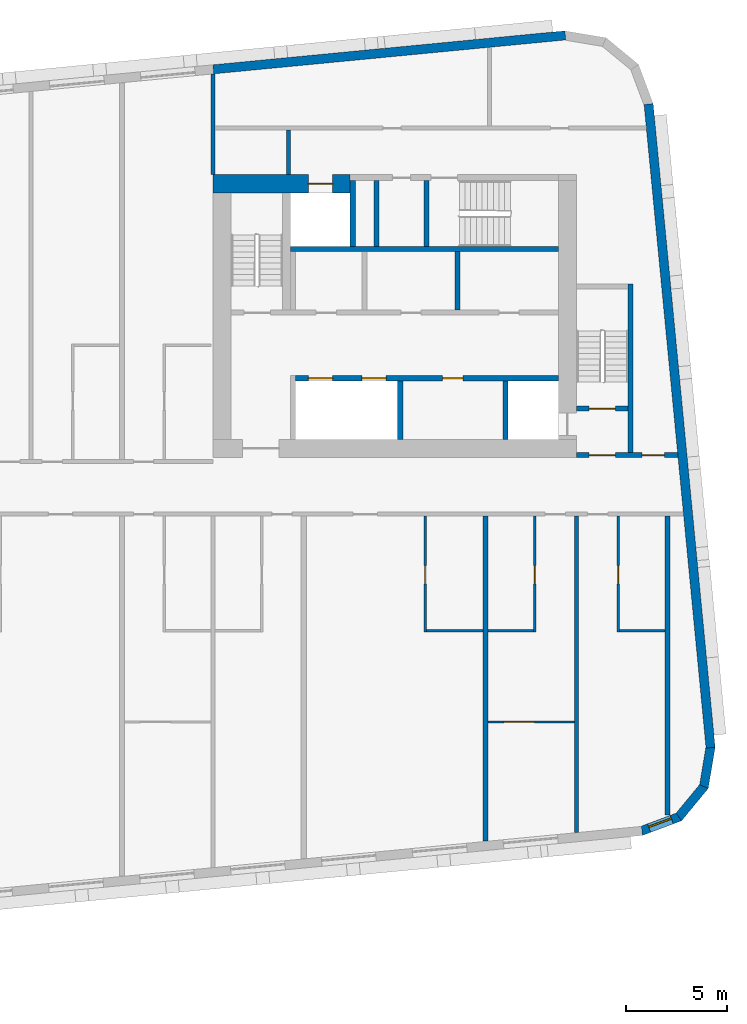
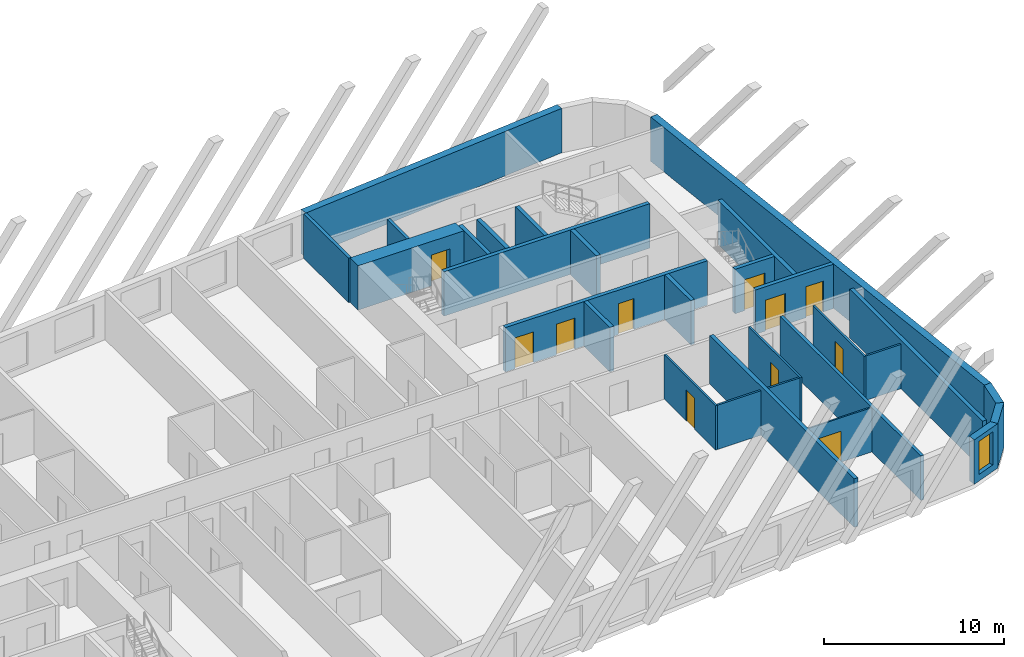
# One storey, part 7 of 13: 29 walls, 11 doors, 1 window, 12 openings.
"""IFC4 building model written with IfcOpenShell, lengths in metres."""

from ifc_helpers import new_model, si_unit, direction, frame, frame_2d, origin, place, context, subcontext, project, spatial, polyline, rectangle, outline, extrude, material, layer, layer_set, type_object, element, fill, save


model = new_model("IFC4")

# Units and contexts
model_context = context("Model", 3, precision=1e-05, world=origin(), true_north=direction((0.0, 1.0)))
body_context = subcontext(model_context, "Body", "Model", "MODEL_VIEW")
ifc_project = project(units=[si_unit("LENGTHUNIT", "METRE"), si_unit("AREAUNIT", "SQUARE_METRE"), si_unit("VOLUMEUNIT", "CUBIC_METRE"), si_unit("PLANEANGLEUNIT", "RADIAN"), si_unit("MASSUNIT", "GRAM", prefix="KILO")], contexts=[model_context])

# Site, building, storey
site_placement = place(None, origin())
site = spatial("IfcSite", under=ifc_project, at=site_placement, CompositionType="ELEMENT")
building_placement = place(site_placement, origin())
building = spatial("IfcBuilding", under=site, at=building_placement, Name="Kajstack Hotel Tower", CompositionType="ELEMENT")
storey_placement = place(building_placement, frame((0.0, 0.0, 298.199951171875)))
storey = spatial("IfcBuildingStorey", under=building, at=storey_placement, Name="L75", CompositionType="ELEMENT", Elevation=298.199951171875)

# Wall, opening, door
ifc_material_1 = material(Name="Concrete C60/75", Category="concrete")
ifc_layer_1 = layer(ifc_material_1, 0.89990234375)
ifc_layer_set_1 = layer_set([ifc_layer_1], Name="Core wall 900")
wall_type_1 = type_object("IfcWallType", Name="Core wall 900", PredefinedType="SHEAR", material=ifc_layer_set_1)
wall_1_placement = place(storey_placement, frame((13.5, 15.050048828125, 0.0), z_axis=(0.0, 0.0, 1.0), x_axis=(1.0, 0.0, 0.0)))
wall_1 = element("IfcWall", 1, at=wall_1_placement, inside=storey, type_object=wall_type_1, Name="Core wall E RS", PredefinedType="SHEAR", context=body_context, shape_type="SweptSolid", body=[
    extrude(rectangle(XDim=6.800048828125, YDim=0.89990234375, at=frame_2d((3.39990234375, 0.0))), origin(), (0.0, 0.0, 1.0), 3.02001953125),
])
opening_1_placement = place(wall_1_placement, frame((4.72509765625, 0.0, 0.0)))
opening_1 = element("IfcOpeningElement", 2, at=opening_1_placement, cuts=wall_1, Name="Opening LD-SV2", PredefinedType="OPENING", context=body_context, shape_type="SweptSolid", body=[
    extrude(rectangle(XDim=1.199951171875, YDim=2.10009765625, at=frame_2d((0.60009765625, 1.050048828125))), frame((0.0, 0.4599609375, 0.0), z_axis=(0.0, -1.0, 0.0), x_axis=(1.0, 0.0, 0.0)), (0.0, 0.0, 1.0), 0.919921875),
])
ifc_material_2 = material(Name="Stainless steel", Category="steel")
door_type_1 = type_object("IfcDoorType", Name="Lift landing door 1200", OperationType="SLIDING_TO_LEFT", PredefinedType="DOOR", material=ifc_material_2)
door_1_placement = place(opening_1_placement, origin())
door_1 = element("IfcDoor", 3, at=door_1_placement, inside=storey, type_object=door_type_1, Name="Landing door SV2", OperationType="SLIDING_TO_LEFT", OverallHeight=2.10009765625, OverallWidth=1.199951171875, PredefinedType="DOOR", context=body_context, shape_type="SweptSolid", body=[
    extrude(rectangle(XDim=1.199951171875, YDim=2.10009765625, at=frame_2d((0.60009765625, 1.050048828125))), frame((0.0, 0.02490234375, 0.0), z_axis=(0.0, -1.0, 0.0), x_axis=(1.0, 0.0, 0.0)), (0.0, 0.0, 1.0), 0.050048828125),
])
fill(opening_1, door_1)

# Walls
ifc_material_3 = material(Name="Twin-frame gypsum board on steel studs, mineral wool", Category="steel")
ifc_layer_2 = layer(ifc_material_3, 0.199951171875)
ifc_layer_set_2 = layer_set([ifc_layer_2], Name="Demising wall 200")
wall_type_2 = type_object("IfcWallType", Name="Demising wall 200", PredefinedType="PARTITIONING", material=ifc_layer_set_2)
wall_2_placement = place(storey_placement, frame((13.5, 15.5, 0.0), z_axis=(0.0, 0.0, 1.0), x_axis=(0.0, 1.0, 0.0)))
element("IfcWall", 4, at=wall_2_placement, inside=storey, type_object=wall_type_2, Name="G-wall-L75-001", PredefinedType="PARTITIONING", context=body_context, shape_type="SweptSolid", body=[
    extrude(rectangle(XDim=4.985107421875, YDim=0.199951171875, at=frame_2d((2.49267578125, 0.0))), origin(), (0.0, 0.0, 1.0), 3.02001953125),
])
wall_3_placement = place(storey_placement, frame((31.5, -17.06298828125, 0.0), z_axis=(0.0, 0.0, 1.0), x_axis=(0.0, 1.0, 0.0)))
element("IfcWall", 5, at=wall_3_placement, inside=storey, type_object=wall_type_2, Name="G-wall-L75-049", PredefinedType="PARTITIONING", context=body_context, shape_type="SweptSolid", body=[
    extrude(rectangle(XDim=15.6630859375, YDim=0.199951171875, at=frame_2d((7.83154296875, 0.0))), origin(), (0.0, 0.0, 1.0), 3.02001953125),
])
ifc_material_4 = material(Name="Concrete C40/50", Category="concrete")
ifc_layer_3 = layer(ifc_material_4, 0.449951171875)
ifc_layer_set_3 = layer_set([ifc_layer_3], Name="EW-CORE")
wall_type_3 = type_object("IfcWallType", Name="EW-CORE", PredefinedType="SOLIDWALL", material=ifc_layer_set_3)
wall_4_placement = place(storey_placement, frame((30.94580078125, 22.390625, 0.0), z_axis=(0.0, 0.0, 1.0), x_axis=(-0.995396397117, -0.095843688398, 0.0)))
element("IfcWall", 6, at=wall_4_placement, inside=storey, type_object=wall_type_3, Name="E-wall-L75-12-00", PredefinedType="SOLIDWALL", context=body_context, shape_type="SweptSolid", body=[
    extrude(rectangle(XDim=17.5048828125, YDim=0.449951171875, at=frame_2d((8.75244140625, 0.0))), origin(), (0.0, 0.0, 1.0), 3.02001953125),
])

# Wall, opening, window
ifc_material_5 = material(Name="Terracotta-faced brick masonry", Category="masonry")
ifc_layer_4 = layer(ifc_material_5, 0.449951171875)
ifc_layer_set_4 = layer_set([ifc_layer_4], Name="EW-TERRA")
wall_type_4 = type_object("IfcWallType", Name="EW-TERRA", PredefinedType="SOLIDWALL", material=ifc_layer_set_4)
wall_5_placement = place(storey_placement, frame((34.67919921875, -16.990478515625, 0.0), z_axis=(0.0, 0.0, 1.0), x_axis=(0.936677599948, 0.350192909346, 0.0)))
wall_5 = element("IfcWall", 7, at=wall_5_placement, inside=storey, type_object=wall_type_4, Name="E-wall-L75-05-00", PredefinedType="SOLIDWALL", context=body_context, shape_type="SweptSolid", body=[
    extrude(outline(polyline([(0.0, -0.22509765625), (2.070556640625, -0.22509765625), (1.949951171875, 0.22509765625), (0.12060546875, 0.22509765625), (0.0, -0.22509765625)])), origin(), (0.0, 0.0, 1.0), 3.02001953125),
])
opening_2_placement = place(wall_5_placement, frame((0.435302734375, 0.0, 0.449951171875)))
opening_2 = element("IfcOpeningElement", 8, at=opening_2_placement, cuts=wall_5, Name="Opening W3", PredefinedType="OPENING", context=body_context, shape_type="SweptSolid", body=[
    extrude(rectangle(XDim=1.199951171875, YDim=2.25, at=frame_2d((0.60009765625, 1.125))), frame((0.0, 0.23486328125, 0.0), z_axis=(0.0, -1.0, 0.0), x_axis=(1.0, 0.0, 0.0)), (0.0, 0.0, 1.0), 0.469970703125),
])
ifc_material_6 = material(Name="Timber-aluminium window, triple glazed", Category="wood")
window_type = type_object("IfcWindowType", Name="WG3", PartitioningType="SINGLE_PANEL", PredefinedType="WINDOW", material=ifc_material_6)
window_placement = place(opening_2_placement, origin())
window = element("IfcWindow", 9, at=window_placement, inside=storey, type_object=window_type, Name="Window W3 L75-05", OverallHeight=2.25, OverallWidth=1.199951171875, PartitioningType="SINGLE_PANEL", PredefinedType="WINDOW", context=body_context, shape_type="SweptSolid", body=[
    extrude(rectangle(XDim=1.199951171875, YDim=2.25, at=frame_2d((0.60009765625, 1.125))), frame((0.0, 0.090087890625, 0.0), z_axis=(0.0, -1.0, 0.0), x_axis=(1.0, 0.0, 0.0)), (0.0, 0.0, 1.0), 0.06005859375),
])
fill(opening_2, window)

# Walls
wall_6_placement = place(storey_placement, frame((36.52392578125, -16.3330078125, 0.0), z_axis=(0.0, 0.0, 1.0), x_axis=(0.636046112757, 0.771651049663, 0.0)))
element("IfcWall", 10, at=wall_6_placement, inside=storey, type_object=wall_type_4, Name="E-wall-L75-06-00", PredefinedType="SOLIDWALL", context=body_context, shape_type="SweptSolid", body=[
    extrude(outline(polyline([(0.0, -0.224853515625), (2.070556640625, -0.22509765625), (1.949951171875, 0.22509765625), (0.12060546875, 0.22509765625), (0.0, -0.224853515625)])), origin(), (0.0, 0.0, 1.0), 3.02001953125),
])
wall_7_placement = place(storey_placement, frame((37.79248046875, -14.84130859375, 0.0), z_axis=(0.0, 0.0, 1.0), x_axis=(0.165068144653, 0.986282164302, 0.0)))
element("IfcWall", 11, at=wall_7_placement, inside=storey, type_object=wall_type_4, Name="E-wall-L75-07-00", PredefinedType="SOLIDWALL", context=body_context, shape_type="SweptSolid", body=[
    extrude(outline(polyline([(0.0, -0.22509765625), (2.070556640625, -0.22509765625), (1.949951171875, 0.224853515625), (0.12060546875, 0.224853515625), (0.0, -0.22509765625)])), origin(), (0.0, 0.0, 1.0), 3.02001953125),
])
wall_8_placement = place(storey_placement, frame((38.13232421875, -12.85791015625, 0.0), z_axis=(0.0, 0.0, 1.0), x_axis=(-0.095847749461, 0.995396006082, 0.0)))
element("IfcWall", 12, at=wall_8_placement, inside=storey, type_object=wall_type_4, Name="E-wall-L75-08-00", PredefinedType="SOLIDWALL", context=body_context, shape_type="SweptSolid", body=[
    extrude(rectangle(XDim=32.0, YDim=0.449951171875, at=frame_2d((16.0, 0.0))), origin(), (0.0, 0.0, 1.0), 3.02001953125),
])

# Wall, opening, door
ifc_material_7 = material(Name="Gypsum board and tiled backer on steel studs", Category="steel")
ifc_layer_5 = layer(ifc_material_7, 0.125)
ifc_layer_set_5 = layer_set([ifc_layer_5], Name="En-suite wall 125")
wall_type_5 = type_object("IfcWallType", Name="En-suite wall 125", PredefinedType="PARTITIONING", material=ifc_layer_set_5)
wall_9_placement = place(storey_placement, frame((24.011962890625, -7.125, 0.0), z_axis=(0.0, 0.0, 1.0), x_axis=(0.0, 1.0, 0.0)))
wall_9 = element("IfcWall", 13, at=wall_9_placement, inside=storey, type_object=wall_type_5, Name="G-wall-L75-047", PredefinedType="PARTITIONING", context=body_context, shape_type="SweptSolid", body=[
    extrude(rectangle(XDim=5.72509765625, YDim=0.125, at=frame_2d((2.862548828125, 0.0))), origin(), (0.0, 0.0, 1.0), 3.02001953125),
])
opening_3_placement = place(wall_9_placement, frame((2.375, 0.0, 0.0)))
opening_3 = element("IfcOpeningElement", 14, at=opening_3_placement, cuts=wall_9, Name="Opening 75039", PredefinedType="OPENING", context=body_context, shape_type="SweptSolid", body=[
    extrude(rectangle(XDim=0.89990234375, YDim=2.10009765625, at=frame_2d((0.449951171875, 1.050048828125))), frame((0.0, 0.072509765625, 0.0), z_axis=(0.0, -1.0, 0.0), x_axis=(1.0, 0.0, 0.0)), (0.0, 0.0, 1.0), 0.14501953125),
])
ifc_material_8 = material(Name="Painted timber door leaf", Category="wood")
door_type_2 = type_object("IfcDoorType", Name="Room door 900", OperationType="SINGLE_SWING_LEFT", PredefinedType="DOOR", material=ifc_material_8)
door_2_placement = place(opening_3_placement, origin())
door_2 = element("IfcDoor", 15, at=door_2_placement, inside=storey, type_object=door_type_2, Name="G-door-L75-39", OperationType="SINGLE_SWING_LEFT", OverallHeight=2.10009765625, OverallWidth=0.89990234375, PredefinedType="DOOR", context=body_context, shape_type="SweptSolid", body=[
    extrude(rectangle(XDim=0.89990234375, YDim=2.10009765625, at=frame_2d((0.449951171875, 1.050048828125))), frame((0.0, 0.02490234375, 0.0), z_axis=(0.0, -1.0, 0.0), x_axis=(1.0, 0.0, 0.0)), (0.0, 0.0, 1.0), 0.050048828125),
])
fill(opening_3, door_2)

# Wall
wall_10_placement = place(storey_placement, frame((24.074951171875, -7.06201171875, 0.0), z_axis=(0.0, 0.0, 1.0), x_axis=(1.0, 0.0, 0.0)))
element("IfcWall", 16, at=wall_10_placement, inside=storey, type_object=wall_type_5, Name="G-wall-L75-048", PredefinedType="PARTITIONING", context=body_context, shape_type="SweptSolid", body=[
    extrude(rectangle(XDim=2.800048828125, YDim=0.125, at=frame_2d((1.39990234375, 0.0))), origin(), (0.0, 0.0, 1.0), 3.02001953125),
])

# Wall, opening, door
wall_11_placement = place(storey_placement, frame((29.43798828125, -7.125, 0.0), z_axis=(0.0, 0.0, 1.0), x_axis=(0.0, 1.0, 0.0)))
wall_11 = element("IfcWall", 17, at=wall_11_placement, inside=storey, type_object=wall_type_5, Name="G-wall-L75-050", PredefinedType="PARTITIONING", context=body_context, shape_type="SweptSolid", body=[
    extrude(rectangle(XDim=5.72509765625, YDim=0.125, at=frame_2d((2.862548828125, 0.0))), origin(), (0.0, 0.0, 1.0), 3.02001953125),
])
opening_4_placement = place(wall_11_placement, frame((2.375, 0.0, 0.0)))
opening_4 = element("IfcOpeningElement", 18, at=opening_4_placement, cuts=wall_11, Name="Opening 75041", PredefinedType="OPENING", context=body_context, shape_type="SweptSolid", body=[
    extrude(rectangle(XDim=0.89990234375, YDim=2.10009765625, at=frame_2d((0.449951171875, 1.050048828125))), frame((0.0, 0.072509765625, 0.0), z_axis=(0.0, -1.0, 0.0), x_axis=(1.0, 0.0, 0.0)), (0.0, 0.0, 1.0), 0.14501953125),
])
door_3_placement = place(opening_4_placement, origin())
door_3 = element("IfcDoor", 19, at=door_3_placement, inside=storey, type_object=door_type_2, Name="G-door-L75-41", OperationType="SINGLE_SWING_LEFT", OverallHeight=2.10009765625, OverallWidth=0.89990234375, PredefinedType="DOOR", context=body_context, shape_type="SweptSolid", body=[
    extrude(rectangle(XDim=0.89990234375, YDim=2.10009765625, at=frame_2d((0.449951171875, 1.050048828125))), frame((0.0, 0.02490234375, 0.0), z_axis=(0.0, -1.0, 0.0), x_axis=(1.0, 0.0, 0.0)), (0.0, 0.0, 1.0), 0.050048828125),
])
fill(opening_4, door_3)

# Wall
wall_12_placement = place(storey_placement, frame((27.125, -7.06201171875, 0.0), z_axis=(0.0, 0.0, 1.0), x_axis=(1.0, 0.0, 0.0)))
element("IfcWall", 20, at=wall_12_placement, inside=storey, type_object=wall_type_5, Name="G-wall-L75-051", PredefinedType="PARTITIONING", context=body_context, shape_type="SweptSolid", body=[
    extrude(rectangle(XDim=2.25, YDim=0.125, at=frame_2d((1.125, 0.0))), origin(), (0.0, 0.0, 1.0), 3.02001953125),
])

# Wall, opening, door
wall_13_placement = place(storey_placement, frame((33.56201171875, -7.125, 0.0), z_axis=(0.0, 0.0, 1.0), x_axis=(0.0, 1.0, 0.0)))
wall_13 = element("IfcWall", 21, at=wall_13_placement, inside=storey, type_object=wall_type_5, Name="G-wall-L75-053", PredefinedType="PARTITIONING", context=body_context, shape_type="SweptSolid", body=[
    extrude(rectangle(XDim=5.72509765625, YDim=0.125, at=frame_2d((2.862548828125, 0.0))), origin(), (0.0, 0.0, 1.0), 3.02001953125),
])
opening_5_placement = place(wall_13_placement, frame((2.375, 0.0, 0.0)))
opening_5 = element("IfcOpeningElement", 22, at=opening_5_placement, cuts=wall_13, Name="Opening 75044", PredefinedType="OPENING", context=body_context, shape_type="SweptSolid", body=[
    extrude(rectangle(XDim=0.89990234375, YDim=2.10009765625, at=frame_2d((0.449951171875, 1.050048828125))), frame((0.0, 0.072509765625, 0.0), z_axis=(0.0, -1.0, 0.0), x_axis=(1.0, 0.0, 0.0)), (0.0, 0.0, 1.0), 0.14501953125),
])
door_4_placement = place(opening_5_placement, origin())
door_4 = element("IfcDoor", 23, at=door_4_placement, inside=storey, type_object=door_type_2, Name="G-door-L75-44", OperationType="SINGLE_SWING_RIGHT", OverallHeight=2.10009765625, OverallWidth=0.89990234375, PredefinedType="DOOR", context=body_context, shape_type="SweptSolid", body=[
    extrude(rectangle(XDim=0.89990234375, YDim=2.10009765625, at=frame_2d((0.449951171875, 1.050048828125))), frame((0.0, 0.02490234375, 0.0), z_axis=(0.0, -1.0, 0.0), x_axis=(1.0, 0.0, 0.0)), (0.0, 0.0, 1.0), 0.050048828125),
])
fill(opening_5, door_4)

# Walls
wall_14_placement = place(storey_placement, frame((33.625, -7.06201171875, 0.0), z_axis=(0.0, 0.0, 1.0), x_axis=(1.0, 0.0, 0.0)))
element("IfcWall", 24, at=wall_14_placement, inside=storey, type_object=wall_type_5, Name="G-wall-L75-054", PredefinedType="PARTITIONING", context=body_context, shape_type="SweptSolid", body=[
    extrude(rectangle(XDim=2.25, YDim=0.125, at=frame_2d((1.125, 0.0))), origin(), (0.0, 0.0, 1.0), 3.02001953125),
])
ifc_material_9 = material(Name="Concrete C50/60", Category="concrete")
ifc_layer_6 = layer(ifc_material_9, 0.300048828125)
ifc_layer_set_6 = layer_set([ifc_layer_6], Name="Hoistway divider wall 300")
wall_type_6 = type_object("IfcWallType", Name="Hoistway divider wall 300", PredefinedType="SHEAR", material=ifc_layer_set_6)
wall_15_placement = place(storey_placement, frame((22.77490234375, 2.39990234375, 0.0), z_axis=(0.0, 0.0, 1.0), x_axis=(0.0, 1.0, 0.0)))
element("IfcWall", 25, at=wall_15_placement, inside=storey, type_object=wall_type_6, Name="Core wall E AP2", PredefinedType="SHEAR", context=body_context, shape_type="SweptSolid", body=[
    extrude(rectangle(XDim=2.900146484375, YDim=0.25, at=frame_2d((1.4501953125, 0.0))), origin(), (0.0, 0.0, 1.0), 3.02001953125),
])

# Wall, opening, door
ifc_material_10 = material(Name="Gypsum board on steel studs", Category="steel")
ifc_layer_7 = layer(ifc_material_10, 0.10009765625)
ifc_layer_set_7 = layer_set([ifc_layer_7], Name="Partition 100")
wall_type_7 = type_object("IfcWallType", Name="Partition 100", PredefinedType="PARTITIONING", material=ifc_layer_set_7)
wall_16_placement = place(storey_placement, frame((27.125, -11.574951171875, 0.0), z_axis=(0.0, 0.0, 1.0), x_axis=(1.0, 0.0, 0.0)))
wall_16 = element("IfcWall", 26, at=wall_16_placement, inside=storey, type_object=wall_type_7, Name="G-wall-L75-052", PredefinedType="PARTITIONING", context=body_context, shape_type="SweptSolid", body=[
    extrude(rectangle(XDim=4.27490234375, YDim=0.10009765625, at=frame_2d((2.137451171875, 0.0))), origin(), (0.0, 0.0, 1.0), 3.02001953125),
])
opening_6_placement = place(wall_16_placement, frame((0.787109375, 0.0, 0.0)))
opening_6 = element("IfcOpeningElement", 27, at=opening_6_placement, cuts=wall_16, Name="Opening 75042", PredefinedType="OPENING", context=body_context, shape_type="SweptSolid", body=[
    extrude(rectangle(XDim=1.5, YDim=2.10009765625, at=frame_2d((0.75, 1.050048828125))), frame((0.0, 0.06005859375, 0.0), z_axis=(0.0, -1.0, 0.0), x_axis=(1.0, 0.0, 0.0)), (0.0, 0.0, 1.0), 0.1201171875),
])
ifc_material_11 = material(Name="Painted timber door leaves, glazed panels", Category="wood")
door_type_3 = type_object("IfcDoorType", Name="Double door 1500", OperationType="SINGLE_SWING_LEFT", PredefinedType="DOOR", material=ifc_material_11)
door_5_placement = place(opening_6_placement, origin())
door_5 = element("IfcDoor", 28, at=door_5_placement, inside=storey, type_object=door_type_3, Name="G-door-L75-42", OperationType="SINGLE_SWING_RIGHT", OverallHeight=2.10009765625, OverallWidth=1.5, PredefinedType="DOOR", context=body_context, shape_type="SweptSolid", body=[
    extrude(rectangle(XDim=1.5, YDim=2.10009765625, at=frame_2d((0.75, 1.050048828125))), frame((0.0, 0.02490234375, 0.0), z_axis=(0.0, -1.0, 0.0), x_axis=(1.0, 0.0, 0.0)), (0.0, 0.0, 1.0), 0.050048828125),
])
fill(opening_6, door_5)

# Walls
ifc_layer_8 = layer(ifc_material_4, 0.25)
ifc_layer_set_8 = layer_set([ifc_layer_8], Name="RC cross wall 250 C40/50")
wall_type_8 = type_object("IfcWallType", Name="RC cross wall 250 C40/50", PredefinedType="SHEAR", material=ifc_layer_set_8)
wall_17_placement = place(storey_placement, frame((27.0, -17.47412109375, 0.0), z_axis=(0.0, 0.0, 1.0), x_axis=(0.0, 1.0, 0.0)))
element("IfcWall", 29, at=wall_17_placement, inside=storey, type_object=wall_type_8, Name="S-wall-L75-11", PredefinedType="SHEAR", context=body_context, shape_type="SweptSolid", body=[
    extrude(rectangle(XDim=16.07421875, YDim=0.25, at=frame_2d((8.037109375, 0.0))), origin(), (0.0, 0.0, 1.0), 3.300048828125),
])
wall_18_placement = place(storey_placement, frame((36.0, -16.198974609375, 0.0), z_axis=(0.0, 0.0, 1.0), x_axis=(0.0, 1.0, 0.0)))
element("IfcWall", 30, at=wall_18_placement, inside=storey, type_object=wall_type_8, Name="S-wall-L75-12", PredefinedType="SHEAR", context=body_context, shape_type="SweptSolid", body=[
    extrude(rectangle(XDim=14.799072265625, YDim=0.25, at=frame_2d((7.3994140625, 0.0))), origin(), (0.0, 0.0, 1.0), 3.300048828125),
])
ifc_material_12 = material(Name="Concrete block masonry", Category="masonry")
ifc_layer_9 = layer(ifc_material_12, 0.25)
ifc_layer_set_9 = layer_set([ifc_layer_9], Name="Riser partition 250")
wall_type_9 = type_object("IfcWallType", Name="Riser partition 250", PredefinedType="PARTITIONING", material=ifc_layer_set_9)
wall_19_placement = place(storey_placement, frame((25.60009765625, 8.800048828125, 0.0), z_axis=(0.0, 0.0, 1.0), x_axis=(0.0, 1.0, 0.0)))
element("IfcWall", 31, at=wall_19_placement, inside=storey, type_object=wall_type_9, Name="Partition E BF0", PredefinedType="PARTITIONING", context=body_context, shape_type="SweptSolid", body=[
    extrude(rectangle(XDim=2.89990234375, YDim=0.25, at=frame_2d((1.449951171875, 0.0))), origin(), (0.0, 0.0, 1.0), 3.02001953125),
])
wall_20_placement = place(storey_placement, frame((21.60009765625, 11.949951171875, 0.0), z_axis=(0.0, 0.0, 1.0), x_axis=(0.0, 1.0, 0.0)))
element("IfcWall", 32, at=wall_20_placement, inside=storey, type_object=wall_type_9, Name="Partition E SZ0", PredefinedType="PARTITIONING", context=body_context, shape_type="SweptSolid", body=[
    extrude(rectangle(XDim=3.25, YDim=0.25, at=frame_2d((1.625, 0.0))), origin(), (0.0, 0.0, 1.0), 3.02001953125),
])

# Wall, openings, doors
ifc_material_13 = material(Name="Gypsum board on steel studs, mineral wool", Category="steel")
ifc_layer_10 = layer(ifc_material_13, 0.199951171875)
ifc_layer_set_10 = layer_set([ifc_layer_10], Name="Service partition 200")
wall_type_10 = type_object("IfcWallType", Name="Service partition 200", PredefinedType="PARTITIONING", material=ifc_layer_set_10)
wall_21_placement = place(storey_placement, frame((31.5, 1.625, 0.0), z_axis=(0.0, 0.0, 1.0), x_axis=(1.0, 0.0, 0.0)))
wall_21 = element("IfcWall", 33, at=wall_21_placement, inside=storey, type_object=wall_type_10, Name="Partition E SN", PredefinedType="PARTITIONING", context=body_context, shape_type="SweptSolid", body=[
    extrude(rectangle(XDim=5.01171875, YDim=0.25, at=frame_2d((2.505859375, 0.0))), origin(), (0.0, 0.0, 1.0), 3.02001953125),
])
opening_7_placement = place(wall_21_placement, frame((0.625, 0.0, 0.0)))
opening_7 = element("IfcOpeningElement", 34, at=opening_7_placement, cuts=wall_21, Name="Opening 75E06", PredefinedType="OPENING", context=body_context, shape_type="SweptSolid", body=[
    extrude(rectangle(XDim=1.300048828125, YDim=2.10009765625, at=frame_2d((0.64990234375, 1.050048828125))), frame((0.0, 0.135009765625, 0.0), z_axis=(0.0, -1.0, 0.0), x_axis=(1.0, 0.0, 0.0)), (0.0, 0.0, 1.0), 0.27001953125),
])
opening_8_placement = place(wall_21_placement, frame((3.25, 0.0, 0.0)))
opening_8 = element("IfcOpeningElement", 35, at=opening_8_placement, cuts=wall_21, Name="Opening 75E08", PredefinedType="OPENING", context=body_context, shape_type="SweptSolid", body=[
    extrude(rectangle(XDim=1.10009765625, YDim=2.10009765625, at=frame_2d((0.550048828125, 1.050048828125))), frame((0.0, 0.135009765625, 0.0), z_axis=(0.0, -1.0, 0.0), x_axis=(1.0, 0.0, 0.0)), (0.0, 0.0, 1.0), 0.27001953125),
])
ifc_material_14 = material(Name="Steel leaf, fire-rated", Category="steel")
door_type_4 = type_object("IfcDoorType", Name="Fire lobby door 1300", OperationType="SINGLE_SWING_LEFT", PredefinedType="DOOR", material=ifc_material_14)
door_6_placement = place(opening_7_placement, origin())
door_6 = element("IfcDoor", 36, at=door_6_placement, inside=storey, type_object=door_type_4, Name="Door 75E06", OperationType="SINGLE_SWING_LEFT", OverallHeight=2.10009765625, OverallWidth=1.300048828125, PredefinedType="DOOR", context=body_context, shape_type="SweptSolid", body=[
    extrude(rectangle(XDim=1.300048828125, YDim=2.10009765625, at=frame_2d((0.64990234375, 1.050048828125))), frame((0.0, 0.02490234375, 0.0), z_axis=(0.0, -1.0, 0.0), x_axis=(1.0, 0.0, 0.0)), (0.0, 0.0, 1.0), 0.050048828125),
])
fill(opening_7, door_6)
ifc_material_15 = material(Name="Timber leaf, fire-rated", Category="wood")
door_type_5 = type_object("IfcDoorType", Name="Service corridor door 1100", OperationType="SINGLE_SWING_LEFT", PredefinedType="DOOR", material=ifc_material_15)
door_7_placement = place(opening_8_placement, origin())
door_7 = element("IfcDoor", 37, at=door_7_placement, inside=storey, type_object=door_type_5, Name="Door 75E08", OperationType="SINGLE_SWING_LEFT", OverallHeight=2.10009765625, OverallWidth=1.10009765625, PredefinedType="DOOR", context=body_context, shape_type="SweptSolid", body=[
    extrude(rectangle(XDim=1.10009765625, YDim=2.10009765625, at=frame_2d((0.550048828125, 1.050048828125))), frame((0.0, 0.02490234375, 0.0), z_axis=(0.0, -1.0, 0.0), x_axis=(1.0, 0.0, 0.0)), (0.0, 0.0, 1.0), 0.050048828125),
])
fill(opening_8, door_7)

# Wall
wall_22_placement = place(storey_placement, frame((17.25, 15.5, 0.0), z_axis=(0.0, 0.0, 1.0), x_axis=(0.0, 1.0, 0.0)))
element("IfcWall", 38, at=wall_22_placement, inside=storey, type_object=wall_type_10, Name="Partition E SCE", PredefinedType="PARTITIONING", context=body_context, shape_type="SweptSolid", body=[
    extrude(rectangle(XDim=2.199951171875, YDim=0.199951171875, at=frame_2d((1.10009765625, 0.0))), origin(), (0.0, 0.0, 1.0), 3.02001953125),
])

# Wall, openings, doors
ifc_layer_11 = layer(ifc_material_9, 0.25)
ifc_layer_set_11 = layer_set([ifc_layer_11], Name="Shaft wall 250")
wall_type_11 = type_object("IfcWallType", Name="Shaft wall 250", PredefinedType="SHEAR", material=ifc_layer_set_11)
wall_23_placement = place(storey_placement, frame((17.60009765625, 5.425048828125, 0.0), z_axis=(0.0, 0.0, 1.0), x_axis=(1.0, 0.0, 0.0)))
wall_23 = element("IfcWall", 39, at=wall_23_placement, inside=storey, type_object=wall_type_11, Name="Core wall E FA", PredefinedType="SHEAR", context=body_context, shape_type="SweptSolid", body=[
    extrude(rectangle(XDim=13.0, YDim=0.25, at=frame_2d((6.5, 0.0))), origin(), (0.0, 0.0, 1.0), 3.02001953125),
])
opening_9_placement = place(wall_23_placement, frame((3.27490234375, 0.0, 0.0)))
opening_9 = element("IfcOpeningElement", 40, at=opening_9_placement, cuts=wall_23, Name="Opening LD-HR3", PredefinedType="OPENING", context=body_context, shape_type="SweptSolid", body=[
    extrude(rectangle(XDim=1.199951171875, YDim=2.10009765625, at=frame_2d((0.60009765625, 1.050048828125))), frame((0.0, 0.135009765625, 0.0), z_axis=(0.0, -1.0, 0.0), x_axis=(1.0, 0.0, 0.0)), (0.0, 0.0, 1.0), 0.27001953125),
])
opening_10_placement = place(wall_23_placement, frame((0.625, 0.0, 0.0)))
opening_10 = element("IfcOpeningElement", 41, at=opening_10_placement, cuts=wall_23, Name="Opening LD-HR4", PredefinedType="OPENING", context=body_context, shape_type="SweptSolid", body=[
    extrude(rectangle(XDim=1.199951171875, YDim=2.10009765625, at=frame_2d((0.60009765625, 1.050048828125))), frame((0.0, 0.135009765625, 0.0), z_axis=(0.0, -1.0, 0.0), x_axis=(1.0, 0.0, 0.0)), (0.0, 0.0, 1.0), 0.27001953125),
])
opening_11_placement = place(wall_23_placement, frame((7.27490234375, 0.0, 0.0)))
opening_11 = element("IfcOpeningElement", 42, at=opening_11_placement, cuts=wall_23, Name="Opening 75E15", PredefinedType="OPENING", context=body_context, shape_type="SweptSolid", body=[
    extrude(rectangle(XDim=1.0, YDim=2.10009765625, at=frame_2d((0.5, 1.050048828125))), frame((0.0, 0.135009765625, 0.0), z_axis=(0.0, -1.0, 0.0), x_axis=(1.0, 0.0, 0.0)), (0.0, 0.0, 1.0), 0.27001953125),
])
door_8_placement = place(opening_9_placement, origin())
door_8 = element("IfcDoor", 43, at=door_8_placement, inside=storey, type_object=door_type_1, Name="Landing door HR3", OperationType="SLIDING_TO_RIGHT", OverallHeight=2.10009765625, OverallWidth=1.199951171875, PredefinedType="DOOR", context=body_context, shape_type="SweptSolid", body=[
    extrude(rectangle(XDim=1.199951171875, YDim=2.10009765625, at=frame_2d((0.60009765625, 1.050048828125))), frame((0.0, 0.02490234375, 0.0), z_axis=(0.0, -1.0, 0.0), x_axis=(1.0, 0.0, 0.0)), (0.0, 0.0, 1.0), 0.050048828125),
])
fill(opening_9, door_8)
door_9_placement = place(opening_10_placement, origin())
door_9 = element("IfcDoor", 44, at=door_9_placement, inside=storey, type_object=door_type_1, Name="Landing door HR4", OperationType="SLIDING_TO_LEFT", OverallHeight=2.10009765625, OverallWidth=1.199951171875, PredefinedType="DOOR", context=body_context, shape_type="SweptSolid", body=[
    extrude(rectangle(XDim=1.199951171875, YDim=2.10009765625, at=frame_2d((0.60009765625, 1.050048828125))), frame((0.0, 0.02490234375, 0.0), z_axis=(0.0, -1.0, 0.0), x_axis=(1.0, 0.0, 0.0)), (0.0, 0.0, 1.0), 0.050048828125),
])
fill(opening_10, door_9)
door_type_6 = type_object("IfcDoorType", Name="Service room door 1000", OperationType="SINGLE_SWING_LEFT", PredefinedType="DOOR", material=ifc_material_15)
door_10_placement = place(opening_11_placement, origin())
door_10 = element("IfcDoor", 45, at=door_10_placement, inside=storey, type_object=door_type_6, Name="Door 75E15", OperationType="SINGLE_SWING_LEFT", OverallHeight=2.10009765625, OverallWidth=1.0, PredefinedType="DOOR", context=body_context, shape_type="SweptSolid", body=[
    extrude(rectangle(XDim=1.0, YDim=2.10009765625, at=frame_2d((0.5, 1.050048828125))), frame((0.0, 0.02490234375, 0.0), z_axis=(0.0, -1.0, 0.0), x_axis=(1.0, 0.0, 0.0)), (0.0, 0.0, 1.0), 0.050048828125),
])
fill(opening_11, door_10)

# Walls
wall_24_placement = place(storey_placement, frame((27.97509765625, 2.39990234375, 0.0), z_axis=(0.0, 0.0, 1.0), x_axis=(0.0, 1.0, 0.0)))
element("IfcWall", 46, at=wall_24_placement, inside=storey, type_object=wall_type_11, Name="Core wall E AP0", PredefinedType="SHEAR", context=body_context, shape_type="SweptSolid", body=[
    extrude(rectangle(XDim=2.900146484375, YDim=0.25, at=frame_2d((1.4501953125, 0.0))), origin(), (0.0, 0.0, 1.0), 3.02001953125),
])
wall_25_placement = place(storey_placement, frame((17.35009765625, 11.824951171875, 0.0), z_axis=(0.0, 0.0, 1.0), x_axis=(1.0, 0.0, 0.0)))
element("IfcWall", 47, at=wall_25_placement, inside=storey, type_object=wall_type_11, Name="Core wall E RB", PredefinedType="SHEAR", context=body_context, shape_type="SweptSolid", body=[
    extrude(rectangle(XDim=13.25, YDim=0.25, at=frame_2d((6.625, 0.0))), origin(), (0.0, 0.0, 1.0), 3.02001953125),
])
wall_26_placement = place(storey_placement, frame((20.425048828125, 11.949951171875, 0.0), z_axis=(0.0, 0.0, 1.0), x_axis=(0.0, 1.0, 0.0)))
element("IfcWall", 48, at=wall_26_placement, inside=storey, type_object=wall_type_11, Name="Core wall E SVW", PredefinedType="SHEAR", context=body_context, shape_type="SweptSolid", body=[
    extrude(rectangle(XDim=3.25, YDim=0.25, at=frame_2d((1.625, 0.0))), origin(), (0.0, 0.0, 1.0), 3.02001953125),
])

# Wall, opening, door
ifc_layer_12 = layer(ifc_material_4, 0.25)
ifc_layer_set_12 = layer_set([ifc_layer_12], Name="Stair enclosure wall 250")
wall_type_12 = type_object("IfcWallType", Name="Stair enclosure wall 250", PredefinedType="SHEAR", material=ifc_layer_set_12)
wall_27_placement = place(storey_placement, frame((31.5, 3.925048828125, 0.0), z_axis=(0.0, 0.0, 1.0), x_axis=(1.0, 0.0, 0.0)))
wall_27 = element("IfcWall", 49, at=wall_27_placement, inside=storey, type_object=wall_type_12, Name="Core wall E W1N", PredefinedType="SHEAR", context=body_context, shape_type="SweptSolid", body=[
    extrude(rectangle(XDim=2.550048828125, YDim=0.25, at=frame_2d((1.27490234375, 0.0))), origin(), (0.0, 0.0, 1.0), 3.02001953125),
])
opening_12_placement = place(wall_27_placement, frame((0.625, 0.0, 0.0)))
opening_12 = element("IfcOpeningElement", 50, at=opening_12_placement, cuts=wall_27, Name="Opening 75E07", PredefinedType="OPENING", context=body_context, shape_type="SweptSolid", body=[
    extrude(rectangle(XDim=1.300048828125, YDim=2.10009765625, at=frame_2d((0.64990234375, 1.050048828125))), frame((0.0, 0.135009765625, 0.0), z_axis=(0.0, -1.0, 0.0), x_axis=(1.0, 0.0, 0.0)), (0.0, 0.0, 1.0), 0.27001953125),
])
door_type_7 = type_object("IfcDoorType", Name="Stair door 1300", OperationType="SINGLE_SWING_LEFT", PredefinedType="DOOR", material=ifc_material_14)
door_11_placement = place(opening_12_placement, origin())
door_11 = element("IfcDoor", 51, at=door_11_placement, inside=storey, type_object=door_type_7, Name="Door 75E07", OperationType="SINGLE_SWING_LEFT", OverallHeight=2.10009765625, OverallWidth=1.300048828125, PredefinedType="DOOR", context=body_context, shape_type="SweptSolid", body=[
    extrude(rectangle(XDim=1.300048828125, YDim=2.10009765625, at=frame_2d((0.64990234375, 1.050048828125))), frame((0.0, 0.02490234375, 0.0), z_axis=(0.0, -1.0, 0.0), x_axis=(1.0, 0.0, 0.0)), (0.0, 0.0, 1.0), 0.050048828125),
])
fill(opening_12, door_11)

# Walls
wall_28_placement = place(storey_placement, frame((34.175048828125, 1.75, 0.0), z_axis=(0.0, 0.0, 1.0), x_axis=(0.0, 1.0, 0.0)))
element("IfcWall", 52, at=wall_28_placement, inside=storey, type_object=wall_type_12, Name="Core wall E W1W", PredefinedType="SHEAR", context=body_context, shape_type="SweptSolid", body=[
    extrude(rectangle(XDim=8.35009765625, YDim=0.25, at=frame_2d((4.175048828125, 0.0))), origin(), (0.0, 0.0, 1.0), 3.02001953125),
])
ifc_layer_13 = layer(ifc_material_9, 0.35009765625)
ifc_layer_set_13 = layer_set([ifc_layer_13], Name="Stair enclosure wall 350")
wall_type_13 = type_object("IfcWallType", Name="Stair enclosure wall 350", PredefinedType="SHEAR", material=ifc_layer_set_13)
wall_29_placement = place(storey_placement, frame((24.074951171875, 11.949951171875, 0.0), z_axis=(0.0, 0.0, 1.0), x_axis=(0.0, 1.0, 0.0)))
element("IfcWall", 53, at=wall_29_placement, inside=storey, type_object=wall_type_13, Name="Core wall E W3E", PredefinedType="SHEAR", context=body_context, shape_type="SweptSolid", body=[
    extrude(rectangle(XDim=3.25, YDim=0.25, at=frame_2d((1.625, 0.0))), origin(), (0.0, 0.0, 1.0), 3.02001953125),
])

save(model, "model.ifc")
